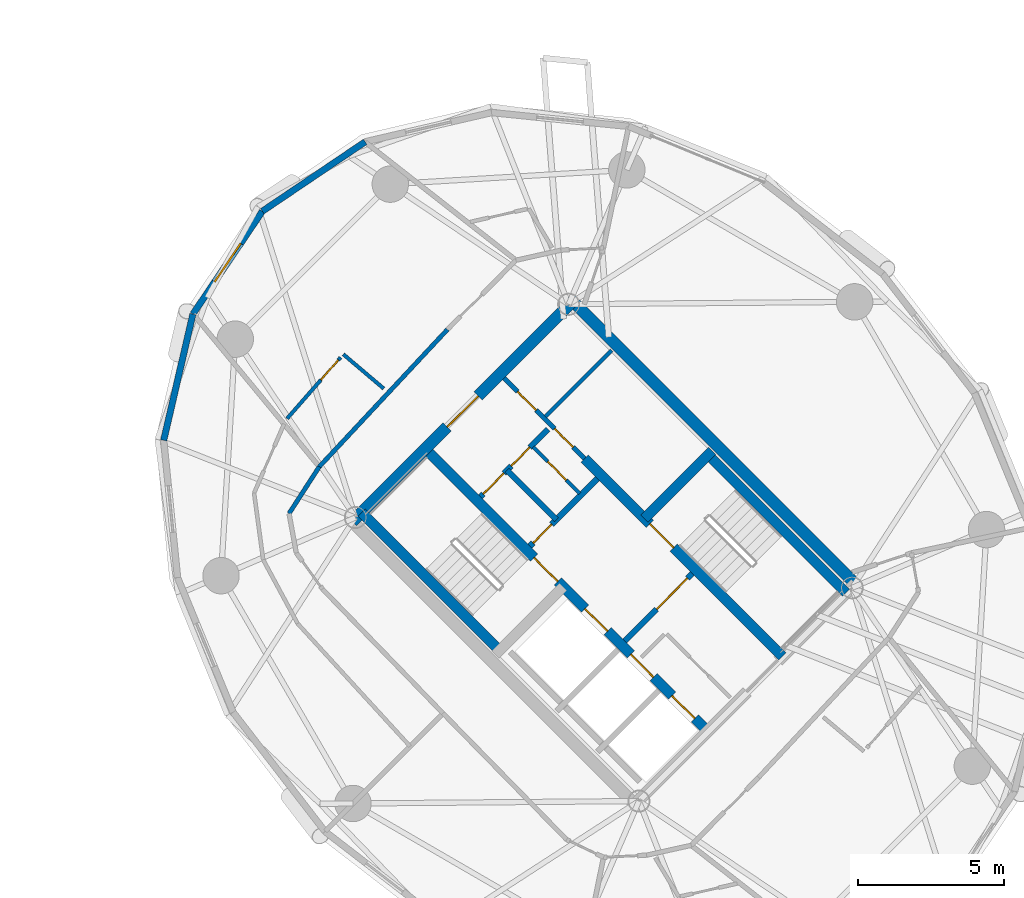
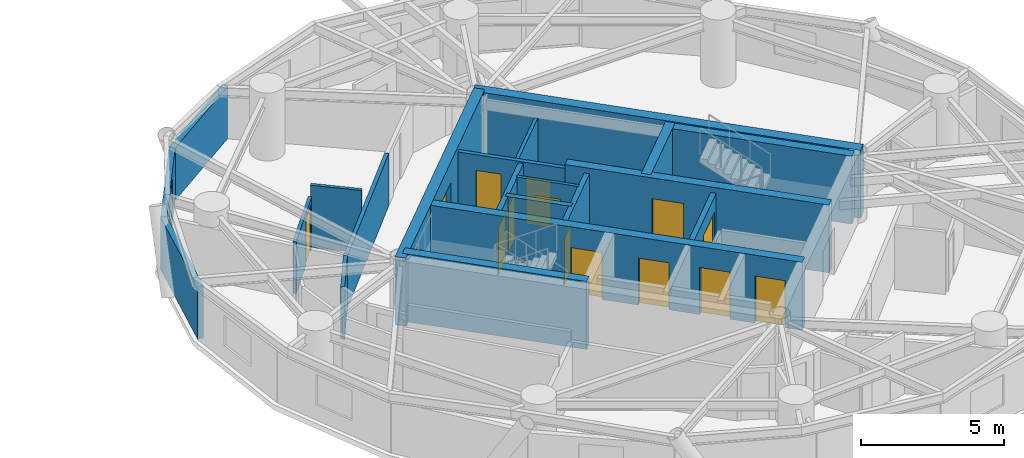
# One storey, part 13 of 17: 21 walls, 14 doors, 1 window, 15 openings.
"""IFC4 building model written with IfcOpenShell, lengths in metres."""

from ifc_helpers import new_model, si_unit, direction, frame, frame_2d, origin, place, context, subcontext, project, spatial, rectangle, extrude, source, transform, mapped, material, layer, layer_set, type_object, element, fill, save


model = new_model("IFC4")

# Units and contexts
model_context = context("Model", 3, precision=1e-05, world=origin(), true_north=direction((0.0, 1.0)))
body_context = subcontext(model_context, "Body", "Model", "MODEL_VIEW")
ifc_project = project(units=[si_unit("LENGTHUNIT", "METRE"), si_unit("AREAUNIT", "SQUARE_METRE"), si_unit("VOLUMEUNIT", "CUBIC_METRE"), si_unit("PLANEANGLEUNIT", "RADIAN"), si_unit("MASSUNIT", "GRAM", prefix="KILO")], contexts=[model_context])

# Site, building, storey
site_placement = place(None, origin())
site = spatial("IfcSite", under=ifc_project, at=site_placement, CompositionType="ELEMENT")
building_placement = place(site_placement, origin())
building = spatial("IfcBuilding", under=site, at=building_placement, Name="Cununo Teusaquillo Station Towers", CompositionType="ELEMENT")
storey_placement = place(building_placement, frame((0.0, 0.0, 183.610107421875)))
storey = spatial("IfcBuildingStorey", under=building, at=storey_placement, Name="L58", CompositionType="ELEMENT", Elevation=183.610107421875)

# Wall, openings, doors
ifc_material_1 = material(Name="Concrete C50/60", Category="concrete")
ifc_layer_1 = layer(ifc_material_1, 0.35009765625)
ifc_layer_set_1 = layer_set([ifc_layer_1], Name="Concrete C50/60")
wall_type_1 = type_object("IfcWallType", Name="WL-CORE-350", PredefinedType="SHEAR", material=ifc_layer_set_1)
wall_1_placement = place(storey_placement, frame((61.060302734375, 18.372802734375, 0.0), z_axis=(0.0, 0.0, 1.0), x_axis=(-0.707106781187, 0.707106781187, 0.0)))
wall_1 = element("IfcWall", 1, at=wall_1_placement, inside=storey, type_object=wall_type_1, Name="L58 Tower B Core Shear Wall IW", PredefinedType="SHEAR", context=body_context, shape_type="SweptSolid", body=[
    extrude(rectangle(XDim=13.7001953125, YDim=0.35009765625, at=frame_2d((6.85009765625, 0.0))), origin(), (0.0, 0.0, 1.0), 2.909912109375),
])
shared_shape_1 = source(origin(), body_context, "Body", "SweptSolid", [
    extrude(rectangle(XDim=1.10009765625, YDim=2.014892578125, at=frame_2d((0.550048828125, 1.00732421875))), frame((0.0, 0.18505859375, 0.0), z_axis=(0.0, -1.0, 0.0), x_axis=(1.0, 0.0, 0.0)), (0.0, 0.0, 1.0), 0.3701171875),
])
opening_1_placement = place(wall_1_placement, frame((4.85009765625, 0.0, 0.0)))
opening_1 = element("IfcOpeningElement", 2, at=opening_1_placement, cuts=wall_1, Name="Opening LD-01", PredefinedType="OPENING", context=body_context, shape_type="MappedRepresentation", body=[
    mapped(shared_shape_1, transform((0.0, 0.0, 0.0), x_axis=(1.0, 0.0, 0.0), y_axis=(0.0, 1.0, 0.0), z_axis=(0.0, 0.0, 1.0), scale=1.0)),
])
opening_2_placement = place(wall_1_placement, frame((0.625, 0.0, 0.0)))
opening_2 = element("IfcOpeningElement", 3, at=opening_2_placement, cuts=wall_1, Name="Opening LD-01", PredefinedType="OPENING", context=body_context, shape_type="MappedRepresentation", body=[
    mapped(shared_shape_1, transform((0.0, 0.0, 0.0), x_axis=(1.0, 0.0, 0.0), y_axis=(0.0, 1.0, 0.0), z_axis=(0.0, 0.0, 1.0), scale=1.0)),
])
opening_3_placement = place(wall_1_placement, frame((2.625, 0.0, 0.0)))
opening_3 = element("IfcOpeningElement", 4, at=opening_3_placement, cuts=wall_1, Name="Opening LD-01", PredefinedType="OPENING", context=body_context, shape_type="MappedRepresentation", body=[
    mapped(shared_shape_1, transform((0.0, 0.0, 0.0), x_axis=(1.0, 0.0, 0.0), y_axis=(0.0, 1.0, 0.0), z_axis=(0.0, 0.0, 1.0), scale=1.0)),
])
shared_shape_2 = source(origin(), body_context, "Body", "SweptSolid", [
    extrude(rectangle(XDim=1.14990234375, YDim=2.02001953125, at=frame_2d((0.574951171875, 1.010009765625))), frame((0.0, 0.18505859375, 0.0), z_axis=(0.0, -1.0, 0.0), x_axis=(1.0, 0.0, 0.0)), (0.0, 0.0, 1.0), 0.3701171875),
])
opening_4_placement = place(wall_1_placement, frame((7.27001953125, 0.0, 0.0)))
opening_4 = element("IfcOpeningElement", 5, at=opening_4_placement, cuts=wall_1, Name="Opening D-ST1", PredefinedType="OPENING", context=body_context, shape_type="MappedRepresentation", body=[
    mapped(shared_shape_2, transform((0.0, 0.0, 0.0), x_axis=(1.0, 0.0, 0.0), y_axis=(0.0, 1.0, 0.0), z_axis=(0.0, 0.0, 1.0), scale=1.0)),
])
ifc_material_2 = material(Name="Galvanised fire-rated hollow steel door assembly", Category="steel")
door_type_1 = type_object("IfcDoorType", Name="DR-LIFT-1100", OperationType="SLIDING_TO_LEFT", PredefinedType="DOOR", material=ifc_material_2)
shared_shape_3 = source(origin(), body_context, "Body", "SweptSolid", [
    extrude(rectangle(XDim=1.10009765625, YDim=2.014892578125, at=frame_2d((0.550048828125, 1.00732421875))), frame((0.0, 0.02490234375, 0.0), z_axis=(0.0, -1.0, 0.0), x_axis=(1.0, 0.0, 0.0)), (0.0, 0.0, 1.0), 0.050048828125),
])
door_1_placement = place(opening_1_placement, origin())
door_1 = element("IfcDoor", 6, at=door_1_placement, inside=storey, type_object=door_type_1, Name="L58 Lift FL-T2 Sliding Landing Door", OperationType="SLIDING_TO_RIGHT", OverallHeight=2.014892578125, OverallWidth=1.10009765625, PredefinedType="DOOR", context=body_context, shape_type="MappedRepresentation", body=[
    mapped(shared_shape_3, transform((0.0, 0.0, 0.0), x_axis=(1.0, 0.0, 0.0), y_axis=(0.0, 1.0, 0.0), z_axis=(0.0, 0.0, 1.0), scale=1.0)),
])
fill(opening_1, door_1)
door_2_placement = place(opening_2_placement, origin())
door_2 = element("IfcDoor", 7, at=door_2_placement, inside=storey, type_object=door_type_1, Name="L58 Lift PL-T2-H1 Sliding Landing Door", OperationType="SLIDING_TO_LEFT", OverallHeight=2.014892578125, OverallWidth=1.10009765625, PredefinedType="DOOR", context=body_context, shape_type="MappedRepresentation", body=[
    mapped(shared_shape_3, transform((0.0, 0.0, 0.0), x_axis=(1.0, 0.0, 0.0), y_axis=(0.0, 1.0, 0.0), z_axis=(0.0, 0.0, 1.0), scale=1.0)),
])
fill(opening_2, door_2)
door_3_placement = place(opening_3_placement, origin())
door_3 = element("IfcDoor", 8, at=door_3_placement, inside=storey, type_object=door_type_1, Name="L58 Lift PL-T2-H2 Sliding Landing Door", OperationType="SLIDING_TO_RIGHT", OverallHeight=2.014892578125, OverallWidth=1.10009765625, PredefinedType="DOOR", context=body_context, shape_type="MappedRepresentation", body=[
    mapped(shared_shape_3, transform((0.0, 0.0, 0.0), x_axis=(1.0, 0.0, 0.0), y_axis=(0.0, 1.0, 0.0), z_axis=(0.0, 0.0, 1.0), scale=1.0)),
])
fill(opening_3, door_3)
ifc_material_3 = material(Name="Galvanised fire-rated hollow steel door assembly", Category="steel")
door_type_2 = type_object("IfcDoorType", Name="DR-STAIR-1150", OperationType="NOTDEFINED", PredefinedType="DOOR", material=ifc_material_3)
shared_shape_4 = source(origin(), body_context, "Body", "SweptSolid", [
    extrude(rectangle(XDim=1.14990234375, YDim=2.02001953125, at=frame_2d((0.574951171875, 1.010009765625))), frame((0.0, 0.02490234375, 0.0), z_axis=(0.0, -1.0, 0.0), x_axis=(1.0, 0.0, 0.0)), (0.0, 0.0, 1.0), 0.050048828125),
])
door_4_placement = place(opening_4_placement, origin())
door_4 = element("IfcDoor", 9, at=door_4_placement, inside=storey, type_object=door_type_2, Name="L58 Tower B Exit Stair 1 Fire Door", OperationType="SINGLE_SWING_LEFT", OverallHeight=2.02001953125, OverallWidth=1.14990234375, PredefinedType="DOOR", context=body_context, shape_type="MappedRepresentation", body=[
    mapped(shared_shape_4, transform((0.0, 0.0, 0.0), x_axis=(1.0, 0.0, 0.0), y_axis=(0.0, 1.0, 0.0), z_axis=(0.0, 0.0, 1.0), scale=1.0)),
])
fill(opening_4, door_4)

# Wall, opening, door
wall_2_placement = place(storey_placement, frame((63.627197265625, 20.939697265625, 0.0), z_axis=(0.0, 0.0, 1.0), x_axis=(-0.707119496762, 0.707094065383, 0.0)))
wall_2 = element("IfcWall", 10, at=wall_2_placement, inside=storey, type_object=wall_type_1, Name="L58 Tower B Core Shear Wall IE", PredefinedType="SHEAR", context=body_context, shape_type="SweptSolid", body=[
    extrude(rectangle(XDim=9.60009765625, YDim=0.35009765625, at=frame_2d((4.800048828125, 0.0))), origin(), (0.0, 0.0, 1.0), 2.909912109375),
])
opening_5_placement = place(wall_2_placement, frame((5.280029296875, 0.0, 0.0)))
opening_5 = element("IfcOpeningElement", 11, at=opening_5_placement, cuts=wall_2, Name="Opening D-ST1", PredefinedType="OPENING", context=body_context, shape_type="MappedRepresentation", body=[
    mapped(shared_shape_2, transform((0.0, 0.0, 0.0), x_axis=(1.0, 0.0, 0.0), y_axis=(0.0, 1.0, 0.0), z_axis=(0.0, 0.0, 1.0), scale=1.0)),
])
door_5_placement = place(opening_5_placement, origin())
door_5 = element("IfcDoor", 12, at=door_5_placement, inside=storey, type_object=door_type_2, Name="L58 Tower B Exit Stair 2 Fire Door", OperationType="SINGLE_SWING_RIGHT", OverallHeight=2.02001953125, OverallWidth=1.14990234375, PredefinedType="DOOR", context=body_context, shape_type="MappedRepresentation", body=[
    mapped(shared_shape_4, transform((0.0, 0.0, 0.0), x_axis=(1.0, 0.0, 0.0), y_axis=(0.0, 1.0, 0.0), z_axis=(0.0, 0.0, 1.0), scale=1.0)),
])
fill(opening_5, door_5)

# Walls
for number, where, z_axis, x_axis, name in (
    (13, (53.922119140625, 21.14111328125, 0.0), (0.0, 0.0, 1.0), (-0.707106781187, 0.707106781187, 0.0), "L58 Tower B Core Shear Wall ST1W"),
    (14, (65.81201171875, 23.124755859375, 0.0), (0.0, 0.0, 1.0), (-0.707106781187, 0.707106781187, 0.0), "L58 Tower B Core Shear Wall ST2E"),
):
    element("IfcWall", number, at=place(storey_placement, frame(where, z_axis=z_axis, x_axis=x_axis)), inside=storey, type_object=wall_type_1, Name=name, PredefinedType="SHEAR", context=body_context, shape_type="SweptSolid", body=[
        extrude(rectangle(XDim=6.695068359375, YDim=0.35009765625, at=frame_2d((3.34765625, 0.0))), origin(), (0.0, 0.0, 1.0), 2.909912109375),
    ])
wall_3_placement = place(storey_placement, frame((58.89306640625, 25.673828125, 0.0), z_axis=(0.0, 0.0, 1.0), x_axis=(0.707106781187, 0.707106781187, 0.0)))
element("IfcWall", 15, at=wall_3_placement, inside=storey, type_object=wall_type_1, Name="L58 Tower B Core Shear Wall ST2N", PredefinedType="SHEAR", context=body_context, shape_type="SweptSolid", body=[
    extrude(rectangle(XDim=3.284912109375, YDim=0.35009765625, at=frame_2d((1.642578125, 0.0))), origin(), (0.0, 0.0, 1.0), 2.909912109375),
])
ifc_material_4 = material(Name="Concrete C50/60", Category="concrete")
ifc_layer_2 = layer(ifc_material_4, 0.39990234375)
ifc_layer_set_2 = layer_set([ifc_layer_2], Name="Concrete C50/60")
wall_type_2 = type_object("IfcWallType", Name="WL-CORE-400", PredefinedType="SHEAR", material=ifc_layer_set_2)
wall_4_placement = place(storey_placement, frame((66.26806640625, 23.2978515625, 0.0), z_axis=(0.0, 0.0, 1.0), x_axis=(-0.707106781187, 0.707106781187, 0.0)))
element("IfcWall", 16, at=wall_4_placement, inside=storey, type_object=wall_type_2, Name="L58 Tower B Core Shear Wall E", PredefinedType="SHEAR", context=body_context, shape_type="SweptSolid", body=[
    extrude(rectangle(XDim=14.10009765625, YDim=0.39990234375, at=frame_2d((7.050048828125, 0.0))), origin(), (0.0, 0.0, 1.0), 2.909912109375),
])

# Wall, opening, door
wall_5_placement = place(storey_placement, frame((48.873291015625, 25.560791015625, 0.0), z_axis=(0.0, 0.0, 1.0), x_axis=(0.707106781187, 0.707106781187, 0.0)))
wall_5 = element("IfcWall", 17, at=wall_5_placement, inside=storey, type_object=wall_type_2, Name="L58 Tower B Core Shear Wall N", PredefinedType="SHEAR", context=body_context, shape_type="SweptSolid", body=[
    extrude(rectangle(XDim=10.69970703125, YDim=0.39990234375, at=frame_2d((5.349853515625, 0.0))), origin(), (0.0, 0.0, 1.0), 2.909912109375),
])
shared_shape_5 = source(origin(), body_context, "Body", "SweptSolid", [
    extrude(rectangle(XDim=1.5, YDim=2.02001953125, at=frame_2d((0.75, 1.010009765625))), frame((0.0, 0.2099609375, 0.0), z_axis=(0.0, -1.0, 0.0), x_axis=(1.0, 0.0, 0.0)), (0.0, 0.0, 1.0), 0.419921875),
])
opening_6_placement = place(wall_5_placement, frame((4.60009765625, 0.0, 0.0)))
opening_6 = element("IfcOpeningElement", 18, at=opening_6_placement, cuts=wall_5, Name="Opening D-LB1", PredefinedType="OPENING", context=body_context, shape_type="MappedRepresentation", body=[
    mapped(shared_shape_5, transform((0.0, 0.0, 0.0), x_axis=(1.0, 0.0, 0.0), y_axis=(0.0, 1.0, 0.0), z_axis=(0.0, 0.0, 1.0), scale=1.0)),
])
ifc_material_5 = material(Name="Galvanised fire-rated hollow steel door assembly", Category="steel")
door_type_3 = type_object("IfcDoorType", Name="DR-LOBBY-1500", OperationType="DOUBLE_DOOR_SINGLE_SWING", PredefinedType="DOOR", material=ifc_material_5)
shared_shape_6 = source(origin(), body_context, "Body", "SweptSolid", [
    extrude(rectangle(XDim=1.5, YDim=2.02001953125, at=frame_2d((0.75, 1.010009765625))), frame((0.0, 0.02490234375, 0.0), z_axis=(0.0, -1.0, 0.0), x_axis=(1.0, 0.0, 0.0)), (0.0, 0.0, 1.0), 0.050048828125),
])
door_6_placement = place(opening_6_placement, origin())
door_6 = element("IfcDoor", 19, at=door_6_placement, inside=storey, type_object=door_type_3, Name="L58 Tower B North Core Lift Lobby Door", OperationType="DOUBLE_DOOR_SINGLE_SWING", OverallHeight=2.02001953125, OverallWidth=1.5, PredefinedType="DOOR", context=body_context, shape_type="MappedRepresentation", body=[
    mapped(shared_shape_6, transform((0.0, 0.0, 0.0), x_axis=(1.0, 0.0, 0.0), y_axis=(0.0, 1.0, 0.0), z_axis=(0.0, 0.0, 1.0), scale=1.0)),
])
fill(opening_6, door_6)

# Wall
ifc_material_6 = material(Name="Precast concrete C40/50", Category="concrete")
ifc_layer_3 = layer(ifc_material_6, 0.219970703125)
ifc_layer_set_3 = layer_set([ifc_layer_3], Name="Precast concrete C40/50")
wall_type_3 = type_object("IfcWallType", Name="WL-EXT-220", PredefinedType="SOLIDWALL", material=ifc_layer_set_3)
wall_6_placement = place(storey_placement, frame((45.783203125, 36.216796875, 0.0), z_axis=(0.0, 0.0, 1.0), x_axis=(0.828817439852, 0.55951912514, 0.0)))
element("IfcWall", 20, at=wall_6_placement, inside=storey, type_object=wall_type_3, Name="L58 Tower B Exterior Facade Wall C04", PredefinedType="SOLIDWALL", context=body_context, shape_type="SweptSolid", body=[
    extrude(rectangle(XDim=4.259033203125, YDim=0.219970703125, at=frame_2d((2.12939453125, 0.0))), origin(), (0.0, 0.0, 1.0), 2.244873046875),
])

# Wall, opening, window
wall_7_placement = place(storey_placement, frame((43.400146484375, 32.686767578125, 0.0), z_axis=(0.0, 0.0, 1.0), x_axis=(0.55951912514, 0.828817439852, 0.0)))
wall_7 = element("IfcWall", 21, at=wall_7_placement, inside=storey, type_object=wall_type_3, Name="L58 Tower B Exterior Facade Wall C05", PredefinedType="SOLIDWALL", context=body_context, shape_type="SweptSolid", body=[
    extrude(rectangle(XDim=4.259033203125, YDim=0.219970703125, at=frame_2d((2.12939453125, 0.0))), origin(), (0.0, 0.0, 1.0), 2.244873046875),
])
shared_shape_7 = source(origin(), body_context, "Body", "SweptSolid", [
    extrude(rectangle(XDim=1.60009765625, YDim=1.300048828125, at=frame_2d((0.800048828125, 0.64990234375))), frame((0.0, 0.119873046875, 0.0), z_axis=(0.0, -1.0, 0.0), x_axis=(1.0, 0.0, 0.0)), (0.0, 0.0, 1.0), 0.239990234375),
])
opening_7_placement = place(wall_7_placement, frame((1.330078125, 0.0, 0.64990234375)))
opening_7 = element("IfcOpeningElement", 22, at=opening_7_placement, cuts=wall_7, Name="Opening WN-03", PredefinedType="OPENING", context=body_context, shape_type="MappedRepresentation", body=[
    mapped(shared_shape_7, transform((0.0, 0.0, 0.0), x_axis=(1.0, 0.0, 0.0), y_axis=(0.0, 1.0, 0.0), z_axis=(0.0, 0.0, 1.0), scale=1.0)),
])
ifc_material_7 = material(Name="Ceramic-fritted dark low-E double glazing", Category="glass")
window_type = type_object("IfcWindowType", Name="WIN-CORN-1600", PartitioningType="SINGLE_PANEL", PredefinedType="WINDOW", material=ifc_material_7)
shared_shape_8 = source(origin(), body_context, "Body", "SweptSolid", [
    extrude(rectangle(XDim=1.60009765625, YDim=1.300048828125, at=frame_2d((0.800048828125, 0.64990234375))), frame((0.0, 0.030029296875, 0.0), z_axis=(0.0, -1.0, 0.0), x_axis=(1.0, 0.0, 0.0)), (0.0, 0.0, 1.0), 0.06005859375),
])
window_placement = place(opening_7_placement, origin())
window = element("IfcWindow", 23, at=window_placement, inside=storey, type_object=window_type, Name="L58 Tower B Facade Window C05", OverallHeight=1.300048828125, OverallWidth=1.60009765625, PartitioningType="SINGLE_PANEL", PredefinedType="WINDOW", context=body_context, shape_type="MappedRepresentation", body=[
    mapped(shared_shape_8, transform((0.0, 0.0, 0.0), x_axis=(1.0, 0.0, 0.0), y_axis=(0.0, 1.0, 0.0), z_axis=(0.0, 0.0, 1.0), scale=1.0)),
])
fill(opening_7, window)

# Wall
wall_8_placement = place(storey_placement, frame((42.397216796875, 28.355224609375, 0.0), z_axis=(0.0, 0.0, 1.0), x_axis=(0.22557328587, 0.97422620202, 0.0)))
element("IfcWall", 24, at=wall_8_placement, inside=storey, type_object=wall_type_3, Name="L58 Tower B Exterior Facade Wall C06", PredefinedType="SOLIDWALL", context=body_context, shape_type="SweptSolid", body=[
    extrude(rectangle(XDim=4.446044921875, YDim=0.219970703125, at=frame_2d((2.22314453125, 0.0))), origin(), (0.0, 0.0, 1.0), 2.244873046875),
])

# Wall, opening, door
ifc_material_8 = material(Name="Fire-rated gypsum plasterboard partition assembly", Category="gypsum")
ifc_layer_4 = layer(ifc_material_8, 0.125)
ifc_layer_set_4 = layer_set([ifc_layer_4], Name="Fire-rated gypsum plasterboard partition assembly")
wall_type_4 = type_object("IfcWallType", Name="WL-PART-125", PredefinedType="PARTITIONING", material=ifc_layer_set_4)
wall_9_placement = place(storey_placement, frame((56.672607421875, 26.529296875, 0.0), z_axis=(0.0, 0.0, 1.0), x_axis=(-0.707052764397, 0.70716079385, 0.0)))
wall_9 = element("IfcWall", 25, at=wall_9_placement, inside=storey, type_object=wall_type_4, Name="L58 Tower B Core Vertical Split Wall", PredefinedType="PARTITIONING", context=body_context, shape_type="SweptSolid", body=[
    extrude(rectangle(XDim=2.260009765625, YDim=0.125, at=frame_2d((1.1298828125, 0.0))), origin(), (0.0, 0.0, 1.0), 2.6748046875),
])
shared_shape_9 = source(origin(), body_context, "Body", "SweptSolid", [
    extrude(rectangle(XDim=0.89990234375, YDim=2.0048828125, at=frame_2d((0.449951171875, 1.00244140625))), frame((0.0, 0.072509765625, 0.0), z_axis=(0.0, -1.0, 0.0), x_axis=(1.0, 0.0, 0.0)), (0.0, 0.0, 1.0), 0.14501953125),
])
opening_8_placement = place(wall_9_placement, frame((0.64990234375, 0.0, 0.0)))
opening_8 = element("IfcOpeningElement", 26, at=opening_8_placement, cuts=wall_9, Name="Opening D-SR1", PredefinedType="OPENING", context=body_context, shape_type="MappedRepresentation", body=[
    mapped(shared_shape_9, transform((0.0, 0.0, 0.0), x_axis=(1.0, 0.0, 0.0), y_axis=(0.0, 1.0, 0.0), z_axis=(0.0, 0.0, 1.0), scale=1.0)),
])
ifc_material_9 = material(Name="Galvanised fire-rated hollow steel door assembly", Category="steel")
door_type_4 = type_object("IfcDoorType", Name="DR-STORE-900", OperationType="NOTDEFINED", PredefinedType="DOOR", material=ifc_material_9)
shared_shape_10 = source(origin(), body_context, "Body", "SweptSolid", [
    extrude(rectangle(XDim=0.89990234375, YDim=2.0048828125, at=frame_2d((0.449951171875, 1.00244140625))), frame((0.0, 0.02490234375, 0.0), z_axis=(0.0, -1.0, 0.0), x_axis=(1.0, 0.0, 0.0)), (0.0, 0.0, 1.0), 0.050048828125),
])
door_7_placement = place(opening_8_placement, origin())
door_7 = element("IfcDoor", 27, at=door_7_placement, inside=storey, type_object=door_type_4, Name="L58 Tower B Core Electrical Room Door", OperationType="SINGLE_SWING_LEFT", OverallHeight=2.0048828125, OverallWidth=0.89990234375, PredefinedType="DOOR", context=body_context, shape_type="MappedRepresentation", body=[
    mapped(shared_shape_10, transform((0.0, 0.0, 0.0), x_axis=(1.0, 0.0, 0.0), y_axis=(0.0, 1.0, 0.0), z_axis=(0.0, 0.0, 1.0), scale=1.0)),
])
fill(opening_8, door_7)

# Walls
wall_10_placement = place(storey_placement, frame((55.49169921875, 29.1669921875, 0.0), z_axis=(0.0, 0.0, 1.0), x_axis=(0.707144688645, 0.707068871696, 0.0)))
element("IfcWall", 28, at=wall_10_placement, inside=storey, type_object=wall_type_4, Name="L58 Tower B Reclaimed Bay Divider Wall", PredefinedType="PARTITIONING", context=body_context, shape_type="SweptSolid", body=[
    extrude(rectangle(XDim=3.22021484375, YDim=0.125, at=frame_2d((1.610107421875, 0.0))), origin(), (0.0, 0.0, 1.0), 2.2119140625),
])
wall_11_placement = place(storey_placement, frame((49.94921875, 30.130126953125, 0.0), z_axis=(0.0, 0.0, 1.0), x_axis=(-0.76253118385, 0.646951461592, 0.0)))
element("IfcWall", 29, at=wall_11_placement, inside=storey, type_object=wall_type_4, Name="L58 Tower B S02 En-suite Side Wall", PredefinedType="PARTITIONING", context=body_context, shape_type="SweptSolid", body=[
    extrude(rectangle(XDim=1.82080078125, YDim=0.125, at=frame_2d((0.910400390625, 0.0))), origin(), (0.0, 0.0, 1.0), 2.6748046875),
])

# Wall, opening, door
wall_12_placement = place(storey_placement, frame((48.46533203125, 31.19873046875, 0.0), z_axis=(0.0, 0.0, 1.0), x_axis=(-0.658113718436, -0.752918543805, 0.0)))
wall_12 = element("IfcWall", 30, at=wall_12_placement, inside=storey, type_object=wall_type_4, Name="L58 Tower B S02 En-suite Back Wall", PredefinedType="PARTITIONING", context=body_context, shape_type="SweptSolid", body=[
    extrude(rectangle(XDim=2.786376953125, YDim=0.125, at=frame_2d((1.39306640625, 0.0))), origin(), (0.0, 0.0, 1.0), 2.244873046875),
])
opening_9_placement = place(wall_12_placement, frame((0.1201171875, 0.0, 0.0)))
opening_9 = element("IfcOpeningElement", 31, at=opening_9_placement, cuts=wall_12, Name="Opening D-IN1", PredefinedType="OPENING", context=body_context, shape_type="MappedRepresentation", body=[
    mapped(shared_shape_9, transform((0.0, 0.0, 0.0), x_axis=(1.0, 0.0, 0.0), y_axis=(0.0, 1.0, 0.0), z_axis=(0.0, 0.0, 1.0), scale=1.0)),
])
ifc_material_10 = material(Name="Acoustic solid-core hardwood leaf assembly", Category="wood")
door_type_5 = type_object("IfcDoorType", Name="DR-INT-900", OperationType="NOTDEFINED", PredefinedType="DOOR", material=ifc_material_10)
door_8_placement = place(opening_9_placement, origin())
door_8 = element("IfcDoor", 32, at=door_8_placement, inside=storey, type_object=door_type_5, Name="L58 Tower B S02 En-suite Bathroom Door", OperationType="SINGLE_SWING_LEFT", OverallHeight=2.0048828125, OverallWidth=0.89990234375, PredefinedType="DOOR", context=body_context, shape_type="MappedRepresentation", body=[
    mapped(shared_shape_10, transform((0.0, 0.0, 0.0), x_axis=(1.0, 0.0, 0.0), y_axis=(0.0, 1.0, 0.0), z_axis=(0.0, 0.0, 1.0), scale=1.0)),
])
fill(opening_9, door_8)

# Walls
ifc_material_11 = material(Name="Fire-rated gypsum plasterboard partition assembly", Category="gypsum")
ifc_layer_5 = layer(ifc_material_11, 0.14990234375)
ifc_layer_set_5 = layer_set([ifc_layer_5], Name="Fire-rated gypsum plasterboard partition assembly")
wall_type_5 = type_object("IfcWallType", Name="WL-PART-150", PredefinedType="PARTITIONING", material=ifc_layer_set_5)
wall_13_placement = place(storey_placement, frame((52.13525390625, 32.159423828125, 0.0), z_axis=(0.0, 0.0, 1.0), x_axis=(-0.682546302454, -0.730842353047, 0.0)))
element("IfcWall", 33, at=wall_13_placement, inside=storey, type_object=wall_type_5, Name="L58 Tower B Corridor Ring Wall C05", PredefinedType="PARTITIONING", context=body_context, shape_type="SweptSolid", body=[
    extrude(rectangle(XDim=6.4453125, YDim=0.14990234375, at=frame_2d((3.22265625, 0.0))), origin(), (0.0, 0.0, 1.0), 2.244873046875),
])
wall_14_placement = place(storey_placement, frame((47.736083984375, 27.448974609375, 0.0), z_axis=(0.0, 0.0, 1.0), x_axis=(-0.542589259408, -0.839998152126, 0.0)))
element("IfcWall", 34, at=wall_14_placement, inside=storey, type_object=wall_type_5, Name="L58 Tower B Corridor Ring Wall C06", PredefinedType="PARTITIONING", context=body_context, shape_type="SweptSolid", body=[
    extrude(rectangle(XDim=1.911865234375, YDim=0.14990234375, at=frame_2d((0.9560546875, 0.0))), origin(), (0.0, 0.0, 1.0), 2.244873046875),
])

# Wall, openings, doors
ifc_material_12 = material(Name="Fire-rated gypsum plasterboard partition assembly", Category="gypsum")
ifc_layer_6 = layer(ifc_material_12, 0.159912109375)
ifc_layer_set_6 = layer_set([ifc_layer_6], Name="Fire-rated gypsum plasterboard partition assembly")
wall_type_6 = type_object("IfcWallType", Name="WL-PART-160", PredefinedType="PARTITIONING", material=ifc_layer_set_6)
wall_15_placement = place(storey_placement, frame((56.8388671875, 27.727783203125, 0.0), z_axis=(0.0, 0.0, 1.0), x_axis=(-0.707106781187, 0.707106781187, 0.0)))
wall_15 = element("IfcWall", 35, at=wall_15_placement, inside=storey, type_object=wall_type_6, Name="L58 Tower B Reclaimed Core Bay Entry Wall", PredefinedType="PARTITIONING", context=body_context, shape_type="SweptSolid", body=[
    extrude(rectangle(XDim=3.900146484375, YDim=0.159912109375, at=frame_2d((1.9501953125, 0.0))), origin(), (0.0, 0.0, 1.0), 2.6748046875),
])
shared_shape_11 = source(origin(), body_context, "Body", "SweptSolid", [
    extrude(rectangle(XDim=0.89990234375, YDim=2.0048828125, at=frame_2d((0.449951171875, 1.00244140625))), frame((0.0, 0.08984375, 0.0), z_axis=(0.0, -1.0, 0.0), x_axis=(1.0, 0.0, 0.0)), (0.0, 0.0, 1.0), 0.179931640625),
])
opening_10_placement = place(wall_15_placement, frame((0.550048828125, 0.0, 0.0)))
opening_10 = element("IfcOpeningElement", 36, at=opening_10_placement, cuts=wall_15, Name="Opening D-IN1", PredefinedType="OPENING", context=body_context, shape_type="MappedRepresentation", body=[
    mapped(shared_shape_11, transform((0.0, 0.0, 0.0), x_axis=(1.0, 0.0, 0.0), y_axis=(0.0, 1.0, 0.0), z_axis=(0.0, 0.0, 1.0), scale=1.0)),
])
opening_11_placement = place(wall_15_placement, frame((2.35009765625, 0.0, 0.0)))
opening_11 = element("IfcOpeningElement", 37, at=opening_11_placement, cuts=wall_15, Name="Opening D-IN1", PredefinedType="OPENING", context=body_context, shape_type="MappedRepresentation", body=[
    mapped(shared_shape_11, transform((0.0, 0.0, 0.0), x_axis=(1.0, 0.0, 0.0), y_axis=(0.0, 1.0, 0.0), z_axis=(0.0, 0.0, 1.0), scale=1.0)),
])
door_9_placement = place(opening_10_placement, origin())
door_9 = element("IfcDoor", 38, at=door_9_placement, inside=storey, type_object=door_type_5, Name="L58 Tower B Reclaimed Core Study Door", OperationType="SINGLE_SWING_RIGHT", OverallHeight=2.0048828125, OverallWidth=0.89990234375, PredefinedType="DOOR", context=body_context, shape_type="MappedRepresentation", body=[
    mapped(shared_shape_10, transform((0.0, 0.0, 0.0), x_axis=(1.0, 0.0, 0.0), y_axis=(0.0, 1.0, 0.0), z_axis=(0.0, 0.0, 1.0), scale=1.0)),
])
fill(opening_10, door_9)
door_10_placement = place(opening_11_placement, origin())
door_10 = element("IfcDoor", 39, at=door_10_placement, inside=storey, type_object=door_type_5, Name="L58 Tower B Reclaimed Core Pantry Door", OperationType="SINGLE_SWING_LEFT", OverallHeight=2.0048828125, OverallWidth=0.89990234375, PredefinedType="DOOR", context=body_context, shape_type="MappedRepresentation", body=[
    mapped(shared_shape_10, transform((0.0, 0.0, 0.0), x_axis=(1.0, 0.0, 0.0), y_axis=(0.0, 1.0, 0.0), z_axis=(0.0, 0.0, 1.0), scale=1.0)),
])
fill(opening_11, door_10)

# Wall, opening, door
ifc_material_13 = material(Name="Fire-rated gypsum plasterboard partition assembly", Category="gypsum")
ifc_layer_7 = layer(ifc_material_13, 0.199951171875)
ifc_layer_set_7 = layer_set([ifc_layer_7], Name="Fire-rated gypsum plasterboard partition assembly")
wall_type_7 = type_object("IfcWallType", Name="WL-PART-200", PredefinedType="PARTITIONING", material=ifc_layer_set_7)
wall_16_placement = place(storey_placement, frame((58.214111328125, 21.466552734375, 0.0), z_axis=(0.0, 0.0, 1.0), x_axis=(0.707106781187, 0.707106781187, 0.0)))
wall_16 = element("IfcWall", 40, at=wall_16_placement, inside=storey, type_object=wall_type_7, Name="L58 Tower B Firefighting Lift Lobby South Fire Wall", PredefinedType="PARTITIONING", context=body_context, shape_type="SweptSolid", body=[
    extrude(rectangle(XDim=3.280029296875, YDim=0.199951171875, at=frame_2d((1.64013671875, 0.0))), origin(), (0.0, 0.0, 1.0), 2.6748046875),
])
shared_shape_12 = source(origin(), body_context, "Body", "SweptSolid", [
    extrude(rectangle(XDim=1.5, YDim=2.02001953125, at=frame_2d((0.75, 1.010009765625))), frame((0.0, 0.10986328125, 0.0), z_axis=(0.0, -1.0, 0.0), x_axis=(1.0, 0.0, 0.0)), (0.0, 0.0, 1.0), 0.219970703125),
])
opening_12_placement = place(wall_16_placement, frame((1.550048828125, 0.0, 0.0)))
opening_12 = element("IfcOpeningElement", 41, at=opening_12_placement, cuts=wall_16, Name="Opening D-LB1", PredefinedType="OPENING", context=body_context, shape_type="MappedRepresentation", body=[
    mapped(shared_shape_12, transform((0.0, 0.0, 0.0), x_axis=(1.0, 0.0, 0.0), y_axis=(0.0, 1.0, 0.0), z_axis=(0.0, 0.0, 1.0), scale=1.0)),
])
door_11_placement = place(opening_12_placement, origin())
door_11 = element("IfcDoor", 42, at=door_11_placement, inside=storey, type_object=door_type_3, Name="L58 Tower B Firefighting Lift Lobby South Fire Door", OperationType="DOUBLE_DOOR_SINGLE_SWING", OverallHeight=2.02001953125, OverallWidth=1.5, PredefinedType="DOOR", context=body_context, shape_type="MappedRepresentation", body=[
    mapped(shared_shape_6, transform((0.0, 0.0, 0.0), x_axis=(1.0, 0.0, 0.0), y_axis=(0.0, 1.0, 0.0), z_axis=(0.0, 0.0, 1.0), scale=1.0)),
])
fill(opening_12, door_11)

wall_17_placement = place(storey_placement, frame((54.96142578125, 24.71923828125, 0.0), z_axis=(0.0, 0.0, 1.0), x_axis=(0.707106781187, 0.707106781187, 0.0)))
wall_17 = element("IfcWall", 43, at=wall_17_placement, inside=storey, type_object=wall_type_7, Name="L58 Tower B Firefighting Lift Lobby North Fire Wall", PredefinedType="PARTITIONING", context=body_context, shape_type="SweptSolid", body=[
    extrude(rectangle(XDim=3.280029296875, YDim=0.199951171875, at=frame_2d((1.64013671875, 0.0))), origin(), (0.0, 0.0, 1.0), 2.6748046875),
])
shared_shape_13 = source(origin(), body_context, "Body", "SweptSolid", [
    extrude(rectangle(XDim=0.89990234375, YDim=2.0048828125, at=frame_2d((0.449951171875, 1.00244140625))), frame((0.0, 0.10986328125, 0.0), z_axis=(0.0, -1.0, 0.0), x_axis=(1.0, 0.0, 0.0)), (0.0, 0.0, 1.0), 0.219970703125),
])
opening_13_placement = place(wall_17_placement, frame((0.159912109375, 0.0, 0.0)))
opening_13 = element("IfcOpeningElement", 44, at=opening_13_placement, cuts=wall_17, Name="Opening D-SR1", PredefinedType="OPENING", context=body_context, shape_type="MappedRepresentation", body=[
    mapped(shared_shape_13, transform((0.0, 0.0, 0.0), x_axis=(1.0, 0.0, 0.0), y_axis=(0.0, 1.0, 0.0), z_axis=(0.0, 0.0, 1.0), scale=1.0)),
])
door_12_placement = place(opening_13_placement, origin())
door_12 = element("IfcDoor", 45, at=door_12_placement, inside=storey, type_object=door_type_4, Name="L58 Tower B Stair 1 Protected Vestibule South Door", OperationType="SINGLE_SWING_LEFT", OverallHeight=2.0048828125, OverallWidth=0.89990234375, PredefinedType="DOOR", context=body_context, shape_type="MappedRepresentation", body=[
    mapped(shared_shape_10, transform((0.0, 0.0, 0.0), x_axis=(1.0, 0.0, 0.0), y_axis=(0.0, 1.0, 0.0), z_axis=(0.0, 0.0, 1.0), scale=1.0)),
])
fill(opening_13, door_12)

# Wall
wall_18_placement = place(storey_placement, frame((55.873779296875, 25.63134765625, 0.0), z_axis=(0.0, 0.0, 1.0), x_axis=(-0.707157639372, 0.707055919343, 0.0)))
element("IfcWall", 46, at=wall_18_placement, inside=storey, type_object=wall_type_7, Name="L58 Tower B Stair 1 Vestibule Partition Wall", PredefinedType="PARTITIONING", context=body_context, shape_type="SweptSolid", body=[
    extrude(rectangle(XDim=2.400146484375, YDim=0.199951171875, at=frame_2d((1.2001953125, 0.0))), origin(), (0.0, 0.0, 1.0), 2.6748046875),
])

# Wall, openings, doors
wall_19_placement = place(storey_placement, frame((53.264404296875, 26.416259765625, 0.0), z_axis=(0.0, 0.0, 1.0), x_axis=(0.707106781187, 0.707106781187, 0.0)))
wall_19 = element("IfcWall", 47, at=wall_19_placement, inside=storey, type_object=wall_type_7, Name="L58 Tower B North Lift Lobby South Fire Wall", PredefinedType="PARTITIONING", context=body_context, shape_type="SweptSolid", body=[
    extrude(rectangle(XDim=3.280029296875, YDim=0.199951171875, at=frame_2d((1.64013671875, 0.0))), origin(), (0.0, 0.0, 1.0), 2.6748046875),
])
shared_shape_14 = source(origin(), body_context, "Body", "SweptSolid", [
    extrude(rectangle(XDim=1.0, YDim=2.014892578125, at=frame_2d((0.5, 1.00732421875))), frame((0.0, 0.10986328125, 0.0), z_axis=(0.0, -1.0, 0.0), x_axis=(1.0, 0.0, 0.0)), (0.0, 0.0, 1.0), 0.219970703125),
])
opening_14_placement = place(wall_19_placement, frame((0.139892578125, 0.0, 0.0)))
opening_14 = element("IfcOpeningElement", 48, at=opening_14_placement, cuts=wall_19, Name="Opening D-AC1", PredefinedType="OPENING", context=body_context, shape_type="MappedRepresentation", body=[
    mapped(shared_shape_14, transform((0.0, 0.0, 0.0), x_axis=(1.0, 0.0, 0.0), y_axis=(0.0, 1.0, 0.0), z_axis=(0.0, 0.0, 1.0), scale=1.0)),
])
opening_15_placement = place(wall_19_placement, frame((1.5, 0.0, 0.0)))
opening_15 = element("IfcOpeningElement", 49, at=opening_15_placement, cuts=wall_19, Name="Opening D-SR1", PredefinedType="OPENING", context=body_context, shape_type="MappedRepresentation", body=[
    mapped(shared_shape_13, transform((0.0, 0.0, 0.0), x_axis=(1.0, 0.0, 0.0), y_axis=(0.0, 1.0, 0.0), z_axis=(0.0, 0.0, 1.0), scale=1.0)),
])
door_13_placement = place(opening_15_placement, origin())
door_13 = element("IfcDoor", 50, at=door_13_placement, inside=storey, type_object=door_type_4, Name="L58 Tower B Core Housekeeping Store Door", OperationType="SINGLE_SWING_RIGHT", OverallHeight=2.0048828125, OverallWidth=0.89990234375, PredefinedType="DOOR", context=body_context, shape_type="MappedRepresentation", body=[
    mapped(shared_shape_10, transform((0.0, 0.0, 0.0), x_axis=(1.0, 0.0, 0.0), y_axis=(0.0, 1.0, 0.0), z_axis=(0.0, 0.0, 1.0), scale=1.0)),
])
fill(opening_15, door_13)
ifc_material_14 = material(Name="Acoustic solid-core hardwood leaf assembly", Category="wood")
door_type_6 = type_object("IfcDoorType", Name="DR-ACC-1000", OperationType="NOTDEFINED", PredefinedType="DOOR", material=ifc_material_14)
shared_shape_15 = source(origin(), body_context, "Body", "SweptSolid", [
    extrude(rectangle(XDim=1.0, YDim=2.014892578125, at=frame_2d((0.5, 1.00732421875))), frame((0.0, 0.02490234375, 0.0), z_axis=(0.0, -1.0, 0.0), x_axis=(1.0, 0.0, 0.0)), (0.0, 0.0, 1.0), 0.050048828125),
])
door_14_placement = place(opening_14_placement, origin())
door_14 = element("IfcDoor", 51, at=door_14_placement, inside=storey, type_object=door_type_6, Name="L58 Tower B North Lift Lobby to Stair 1 Vestibule Door", OperationType="SINGLE_SWING_RIGHT", OverallHeight=2.014892578125, OverallWidth=1.0, PredefinedType="DOOR", context=body_context, shape_type="MappedRepresentation", body=[
    mapped(shared_shape_15, transform((0.0, 0.0, 0.0), x_axis=(1.0, 0.0, 0.0), y_axis=(0.0, 1.0, 0.0), z_axis=(0.0, 0.0, 1.0), scale=1.0)),
])
fill(opening_14, door_14)

save(model, "model.ifc")
